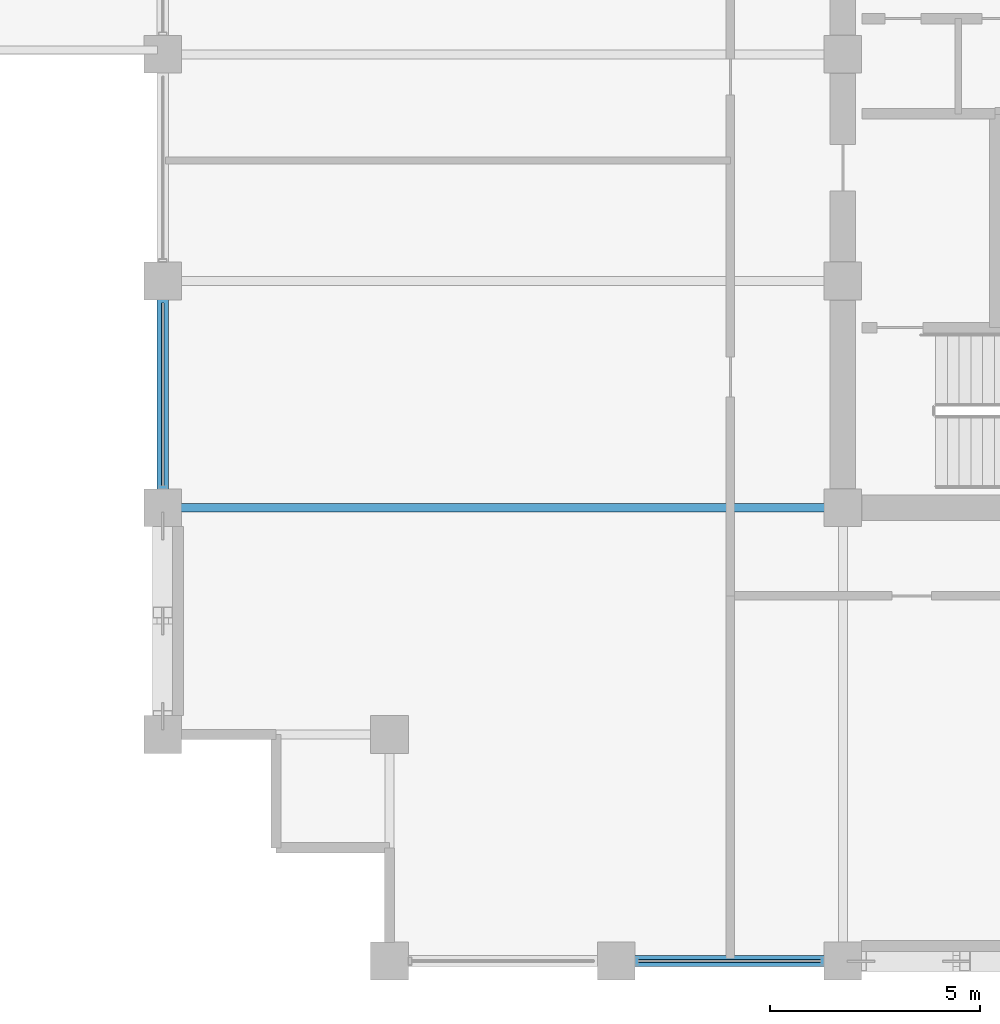
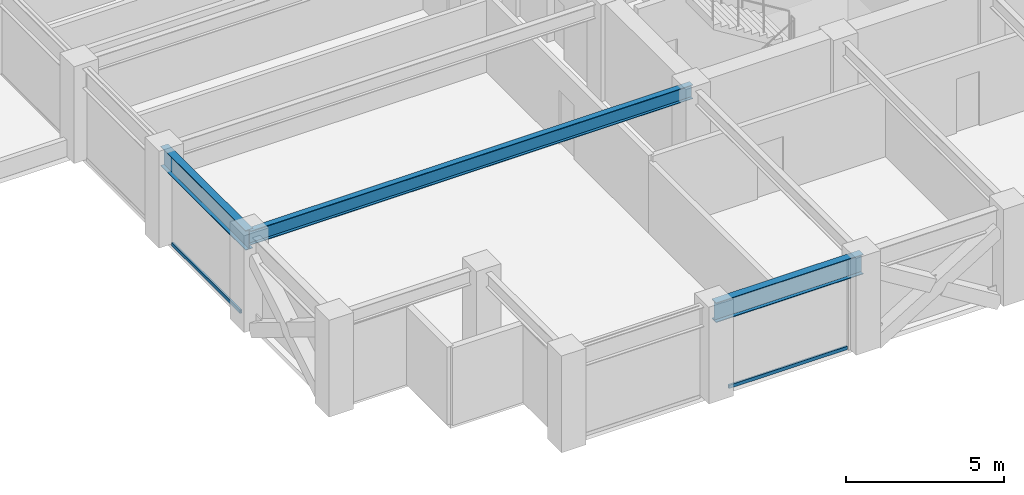
# One storey, part 3 of 28: 3 beams, 2 members, 2 elements without a shape of their own.
"""IFC4 building model written with IfcOpenShell, lengths in metres."""

from ifc_helpers import new_model, si_unit, direction, frame, origin, origin_2d, place, context, subcontext, project, spatial, hollow_rectangle, i_section, extrude, material, layer, layer_set, material_profile, profile_set, type_object, element, aggregate, save


model = new_model("IFC4")

# Units and contexts
model_context = context("Model", 3, precision=1e-05, world=origin(), true_north=direction((0.0, 1.0)))
body_context = subcontext(model_context, "Body", "Model", "MODEL_VIEW")
ifc_project = project(units=[si_unit("LENGTHUNIT", "METRE"), si_unit("AREAUNIT", "SQUARE_METRE"), si_unit("VOLUMEUNIT", "CUBIC_METRE"), si_unit("PLANEANGLEUNIT", "RADIAN"), si_unit("MASSUNIT", "GRAM", prefix="KILO")], contexts=[model_context])

# Site, building, storey
site_placement = place(None, origin())
site = spatial("IfcSite", under=ifc_project, at=site_placement, CompositionType="ELEMENT")
building_placement = place(site_placement, origin())
building = spatial("IfcBuilding", under=site, at=building_placement, Name="Surkhivell Harbour Commons", CompositionType="ELEMENT")
storey_placement = place(building_placement, frame((0.0, 0.0, 182.25)))
storey = spatial("IfcBuildingStorey", under=building, at=storey_placement, Name="L47", CompositionType="ELEMENT", Elevation=182.25)

# Beams
ifc_material_1 = material(Name="Steel S355", Category="steel")
ifc_material_profile_1 = material_profile(ifc_material_1, i_section(OverallWidth=0.2119140625, OverallDepth=0.5439453125, WebThickness=0.0126953125, FlangeThickness=0.021240234375, at=origin_2d()), Name="UB533x210x122")
ifc_profile_set_1 = profile_set([ifc_material_profile_1], Name="Steel S355")
beam_type_1 = type_object("IfcBeamType", Name="BM-GRD-533A", PredefinedType="BEAM", material=ifc_profile_set_1)
beam_1_placement = place(storey_placement, frame((-27.0, -10.800048828125, 3.298095703125), z_axis=(1.0, 0.0, 0.0), x_axis=(0.0, 1.0, 0.0)))
element("IfcBeam", 1, at=beam_1_placement, inside=storey, type_object=beam_type_1, Name="L47 Floor Girder (-27.0,-10.8)", PredefinedType="BEAM", context=body_context, shape_type="SweptSolid", body=[
    extrude(i_section(OverallWidth=0.2119140625, OverallDepth=0.5439453125, WebThickness=0.0126953125, FlangeThickness=0.021240234375, at=origin_2d()), origin(), (0.0, 0.0, 1.0), 16.199951171875),
])
ifc_material_profile_2 = material_profile(ifc_material_1, i_section(OverallWidth=0.26806640625, OverallDepth=0.77001953125, WebThickness=0.015625, FlangeThickness=0.025390625, at=origin_2d()), Name="UB762x267x197")
ifc_profile_set_2 = profile_set([ifc_material_profile_2], Name="Steel S355")
beam_type_2 = type_object("IfcBeamType", Name="BM-SPN-762", PredefinedType="SPANDREL", material=ifc_profile_set_2)
beam_2_placement = place(storey_placement, frame((-27.0, -10.800048828125, 3.18505859375), z_axis=(0.0, 1.0, 0.0), x_axis=(-1.0, 0.0, 0.0)))
element("IfcBeam", 2, at=beam_2_placement, inside=storey, type_object=beam_type_2, Name="L47 Tube Spandrel (-27.0,-10.8)", PredefinedType="SPANDREL", context=body_context, shape_type="SweptSolid", body=[
    extrude(i_section(OverallWidth=0.26806640625, OverallDepth=0.77001953125, WebThickness=0.015625, FlangeThickness=0.025390625, at=origin_2d()), origin(), (0.0, 0.0, 1.0), 5.400146484375),
])
beam_3_placement = place(storey_placement, frame((-16.199951171875, -21.60009765625, 3.18505859375), z_axis=(1.0, 0.0, 0.0), x_axis=(0.0, 1.0, 0.0)))
element("IfcBeam", 3, at=beam_3_placement, inside=storey, type_object=beam_type_2, Name="L47 Tube Spandrel (-16.2,-21.6)", PredefinedType="SPANDREL", context=body_context, shape_type="SweptSolid", body=[
    extrude(i_section(OverallWidth=0.26806640625, OverallDepth=0.77001953125, WebThickness=0.015625, FlangeThickness=0.025390625, at=origin_2d()), origin(), (0.0, 0.0, 1.0), 5.39990234375),
])

# Curtain wall, member
ifc_material_2 = material(Name="Anodised pale-metal aluminium and insulated glazing", Category="aluminium")
ifc_layer = layer(ifc_material_2, 0.18994140625)
ifc_layer_set = layer_set([ifc_layer], Name="Anodised pale-metal aluminium and insulated glazing")
curtain_wall_type = type_object("IfcCurtainWallType", Name="CW-SYS-Z3", PredefinedType="NOTDEFINED", material=ifc_layer_set)
curtain_wall_1_placement = place(storey_placement, origin())
curtain_wall_1 = element("IfcCurtainWall", 4, at=curtain_wall_1_placement, inside=storey, type_object=curtain_wall_type, Name="L47 Curtain Wall CW-L47-E00S1", PredefinedType="NOTDEFINED")
ifc_material_3 = material(Name="Champagne anodised aluminium alloy 6063-T6", Category="aluminium")
ifc_material_profile_3 = material_profile(ifc_material_3, hollow_rectangle(XDim=0.070068359375, YDim=0.1298828125, WallThickness=0.00341796875, at=origin_2d()), Name="ALU-TRAN-70x130")
ifc_profile_set_3 = profile_set([ifc_material_profile_3], Name="Champagne anodised aluminium alloy 6063-T6")
member_type = type_object("IfcMemberType", Name="CWT-130", PredefinedType="USERDEFINED", material=ifc_profile_set_3)
member_1_placement = place(storey_placement, frame((-15.673095703125, -21.60009765625, 0.06494140625), z_axis=(1.0, 0.0, 0.0), x_axis=(0.0, 1.0, 0.0)))
member_1 = element("IfcMember", 5, at=member_1_placement, type_object=member_type, Name="CW-Z3 transom 2.1", ObjectType="TRANSOM", PredefinedType="USERDEFINED", context=body_context, shape_type="SweptSolid", body=[
    extrude(hollow_rectangle(XDim=0.070068359375, YDim=0.1298828125, WallThickness=0.00341796875, at=origin_2d()), origin(), (0.0, 0.0, 1.0), 4.34619140625),
])
aggregate(curtain_wall_1, [member_1])

curtain_wall_2_placement = place(storey_placement, origin())
curtain_wall_2 = element("IfcCurtainWall", 6, at=curtain_wall_2_placement, inside=storey, type_object=curtain_wall_type, Name="L47 Curtain Wall CW-L47-E12R1S1", PredefinedType="NOTDEFINED")
member_2_placement = place(storey_placement, frame((-27.0, -10.27294921875, 0.06494140625), z_axis=(0.0, 1.0, 0.0), x_axis=(-1.0, 0.0, 0.0)))
member_2 = element("IfcMember", 7, at=member_2_placement, type_object=member_type, Name="CW-Z3 transom 1.1", ObjectType="TRANSOM", PredefinedType="USERDEFINED", context=body_context, shape_type="SweptSolid", body=[
    extrude(hollow_rectangle(XDim=0.070068359375, YDim=0.1298828125, WallThickness=0.00341796875, at=origin_2d()), origin(), (0.0, 0.0, 1.0), 4.345947265625),
])
aggregate(curtain_wall_2, [member_2])

save(model, "model.ifc")
